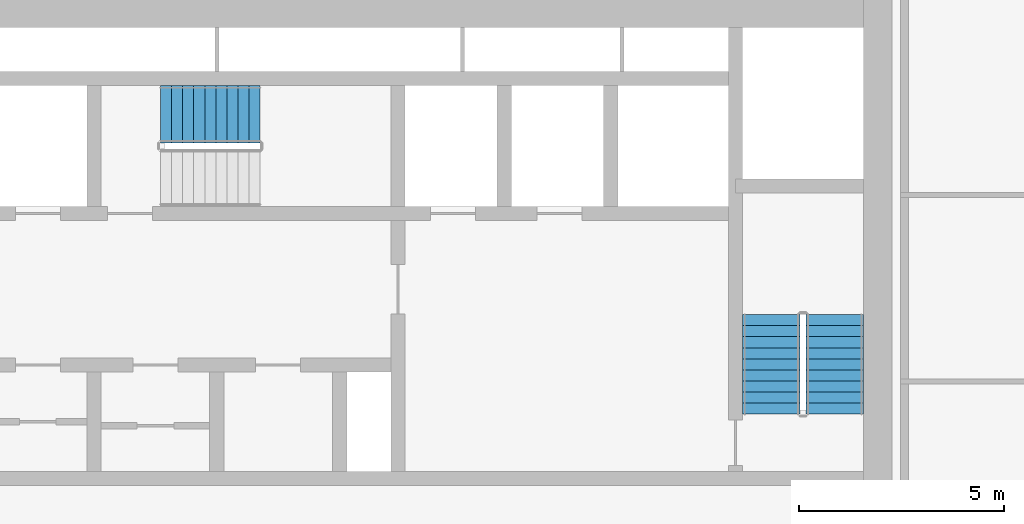
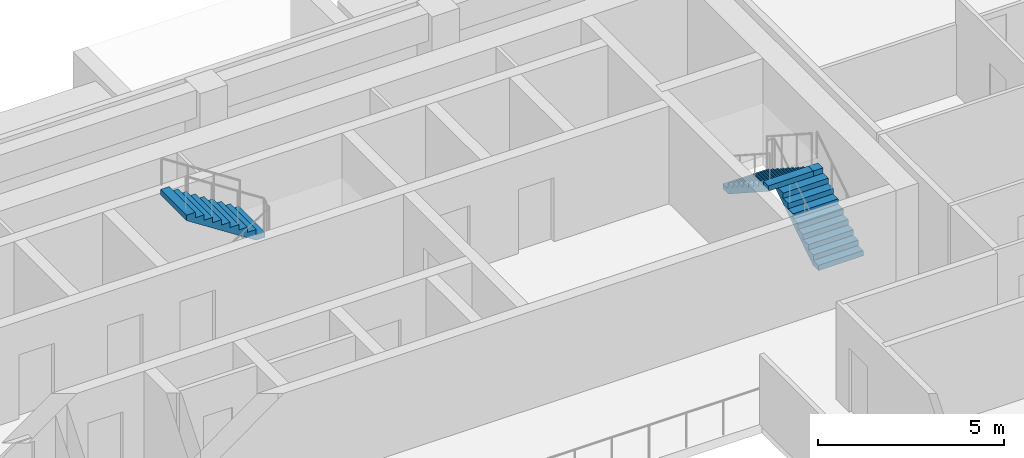
# One storey, part 13 of 20: 3 stair flights, 2 elements without a shape of their own.
"""IFC4 building model written with IfcOpenShell, lengths in metres."""

from ifc_helpers import new_model, si_unit, direction, frame, origin, place, context, subcontext, project, spatial, polyline, outline, extrude, material, layer, layer_set, type_object, element, aggregate, save


model = new_model("IFC4")

# Units and contexts
model_context = context("Model", 3, precision=1e-05, world=origin(), true_north=direction((0.0, 1.0)))
body_context = subcontext(model_context, "Body", "Model", "MODEL_VIEW")
ifc_project = project(units=[si_unit("LENGTHUNIT", "METRE"), si_unit("AREAUNIT", "SQUARE_METRE"), si_unit("VOLUMEUNIT", "CUBIC_METRE"), si_unit("PLANEANGLEUNIT", "RADIAN"), si_unit("MASSUNIT", "GRAM", prefix="KILO")], contexts=[model_context])

# Site, building, storey
site_placement = place(None, origin())
site = spatial("IfcSite", under=ifc_project, at=site_placement, CompositionType="ELEMENT")
building_placement = place(site_placement, origin())
building = spatial("IfcBuilding", under=site, at=building_placement, Name="Saffron Iwan Residences", CompositionType="ELEMENT")
storey_placement = place(building_placement, frame((0.0, 0.0, 164.0)))
storey = spatial("IfcBuildingStorey", under=building, at=storey_placement, Name="L43", CompositionType="ELEMENT", Elevation=164.0)

# Stair, stair flight
ifc_material = material(Name="Concrete C50/60", Category="concrete")
stair_type = type_object("IfcStairType", Name="Stair ST-CORE", PredefinedType="HALF_TURN_STAIR", material=ifc_material)
stair_1_placement = place(storey_placement, origin())
stair_1 = element("IfcStair", 1, at=stair_1_placement, inside=storey, type_object=stair_type, Name="L43 Exit Stair ST-C", PredefinedType="HALF_TURN_STAIR")
ifc_layer = layer(ifc_material, 0.14990234375)
ifc_layer_set = layer_set([ifc_layer], Name="Concrete C50/60")
stair_flight_type = type_object("IfcStairFlightType", Name="Stair flight SFL-RC", PredefinedType="STRAIGHT", material=ifc_layer_set)
stair_flight_1_placement = place(storey_placement, frame((56.35498046875, 75.175048828125, 1.75), z_axis=(0.0, 0.0, 1.0), x_axis=(-1.0, 0.0, 0.0)))
stair_flight_1 = element("IfcStairFlight", 2, at=stair_flight_1_placement, type_object=stair_flight_type, Name="ST-C flight 2", NumberOfRisers=10, NumberOfTreads=9, PredefinedType="STRAIGHT", RiserHeight=0.175, TreadLength=0.27, context=body_context, shape_type="SweptSolid", body=[
    extrude(outline(polyline([(0.0, 0.0), (0.0, 0.175048828125), (0.27001953125, 0.175048828125), (0.27001953125, 0.35009765625), (0.5400390625, 0.35009765625), (0.5400390625, 0.52490234375), (0.81005859375, 0.52490234375), (0.81005859375, 0.699951171875), (1.080078125, 0.699951171875), (1.080078125, 0.875), (1.35009765625, 0.875), (1.35009765625, 1.050048828125), (1.6201171875, 1.050048828125), (1.6201171875, 1.22509765625), (1.889892578125, 1.22509765625), (1.889892578125, 1.39990234375), (2.159912109375, 1.39990234375), (2.159912109375, 1.574951171875), (2.429931640625, 1.574951171875), (2.429931640625, 1.75), (2.429931640625, 1.396484375), (0.275634765625, 0.0), (0.0, 0.0)])), frame((0.0, 0.699951171875, 0.0), z_axis=(0.0, -1.0, 0.0), x_axis=(1.0, 0.0, 0.0)), (0.0, 0.0, 1.0), 1.39990234375),
])
aggregate(stair_1, [stair_flight_1])

# Stair, stair flights
stair_2_placement = place(storey_placement, origin())
stair_2 = element("IfcStair", 3, at=stair_2_placement, inside=storey, type_object=stair_type, Name="L43 Exit Stair ST-E", PredefinedType="HALF_TURN_STAIR")
stair_flight_2_placement = place(storey_placement, frame((70.39990234375, 67.85009765625, 0.0), z_axis=(0.0, 0.0, 1.0), x_axis=(0.0, 1.0, 0.0)))
stair_flight_2 = element("IfcStairFlight", 4, at=stair_flight_2_placement, type_object=stair_flight_type, Name="ST-E flight 1", NumberOfRisers=10, NumberOfTreads=9, PredefinedType="STRAIGHT", RiserHeight=0.175, TreadLength=0.27, context=body_context, shape_type="SweptSolid", body=[
    extrude(outline(polyline([(0.0, 0.0), (0.0, 0.175048828125), (0.27001953125, 0.175048828125), (0.27001953125, 0.35009765625), (0.5400390625, 0.35009765625), (0.5400390625, 0.52490234375), (0.81005859375, 0.52490234375), (0.81005859375, 0.699951171875), (1.080078125, 0.699951171875), (1.080078125, 0.875), (1.35009765625, 0.875), (1.35009765625, 1.050048828125), (1.6201171875, 1.050048828125), (1.6201171875, 1.22509765625), (1.889892578125, 1.22509765625), (1.889892578125, 1.39990234375), (2.159912109375, 1.39990234375), (2.159912109375, 1.574951171875), (2.429931640625, 1.574951171875), (2.429931640625, 1.75), (2.429931640625, 1.396484375), (0.275634765625, 0.0), (0.0, 0.0)])), frame((0.0, 0.699951171875, 0.0), z_axis=(0.0, -1.0, 0.0), x_axis=(1.0, 0.0, 0.0)), (0.0, 0.0, 1.0), 1.39990234375),
])
stair_flight_3_placement = place(storey_placement, frame((68.85009765625, 70.280029296875, 1.75), z_axis=(0.0, 0.0, 1.0), x_axis=(0.0, -1.0, 0.0)))
stair_flight_3 = element("IfcStairFlight", 5, at=stair_flight_3_placement, type_object=stair_flight_type, Name="ST-E flight 2", NumberOfRisers=10, NumberOfTreads=9, PredefinedType="STRAIGHT", RiserHeight=0.175, TreadLength=0.27, context=body_context, shape_type="SweptSolid", body=[
    extrude(outline(polyline([(0.0, 0.0), (0.0, 0.175048828125), (0.27001953125, 0.175048828125), (0.27001953125, 0.35009765625), (0.5400390625, 0.35009765625), (0.5400390625, 0.52490234375), (0.81005859375, 0.52490234375), (0.81005859375, 0.699951171875), (1.080078125, 0.699951171875), (1.080078125, 0.875), (1.35009765625, 0.875), (1.35009765625, 1.050048828125), (1.6201171875, 1.050048828125), (1.6201171875, 1.22509765625), (1.889892578125, 1.22509765625), (1.889892578125, 1.39990234375), (2.159912109375, 1.39990234375), (2.159912109375, 1.574951171875), (2.429931640625, 1.574951171875), (2.429931640625, 1.75), (2.429931640625, 1.396484375), (0.275634765625, 0.0), (0.0, 0.0)])), frame((0.0, 0.699951171875, 0.0), z_axis=(0.0, -1.0, 0.0), x_axis=(1.0, 0.0, 0.0)), (0.0, 0.0, 1.0), 1.39990234375),
])
aggregate(stair_2, [stair_flight_2, stair_flight_3])

save(model, "model.ifc")
